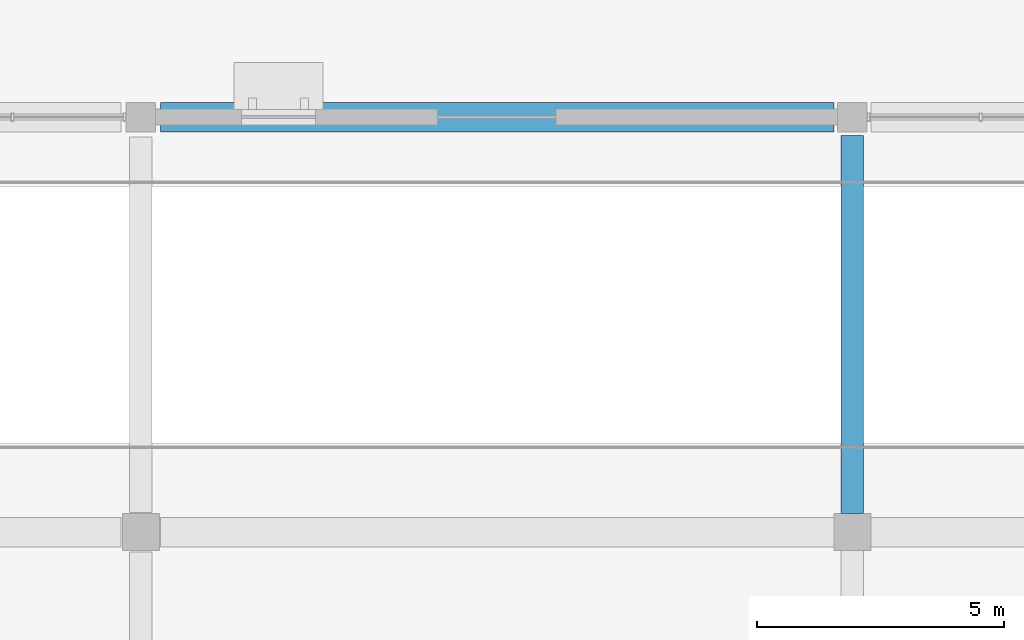
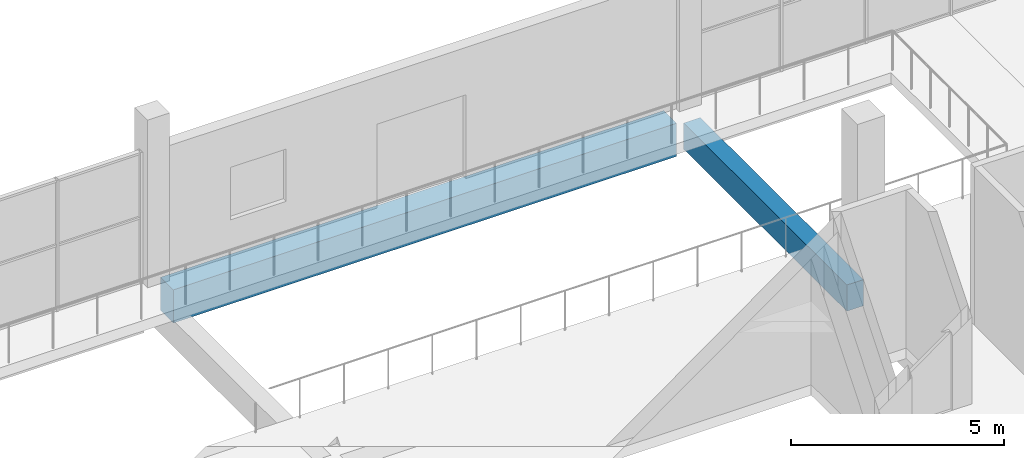
# One storey, part 57 of 130: 2 beams.
"""IFC4 building model written with IfcOpenShell, lengths in metres."""

from ifc_helpers import new_model, si_unit, direction, frame, origin, origin_2d, place, context, subcontext, project, spatial, rectangle, extrude, material, material_profile, profile_set, type_object, element, save


model = new_model("IFC4")

# Units and contexts
model_context = context("Model", 3, precision=1e-05, world=origin(), true_north=direction((0.0, 1.0)))
body_context = subcontext(model_context, "Body", "Model", "MODEL_VIEW")
ifc_project = project(units=[si_unit("LENGTHUNIT", "METRE"), si_unit("AREAUNIT", "SQUARE_METRE"), si_unit("VOLUMEUNIT", "CUBIC_METRE"), si_unit("PLANEANGLEUNIT", "RADIAN"), si_unit("MASSUNIT", "GRAM", prefix="KILO"), si_unit("THERMODYNAMICTEMPERATUREUNIT", "KELVIN")], contexts=[model_context])

# Site, building, storey
site_placement = place(None, origin())
site = spatial("IfcSite", under=ifc_project, at=site_placement, CompositionType="ELEMENT")
building_placement = place(site_placement, origin())
building = spatial("IfcBuilding", under=site, at=building_placement, Name="Nduvali Passage Aquatics Centre", CompositionType="ELEMENT")
storey_placement = place(building_placement, origin())
storey = spatial("IfcBuildingStorey", under=building, at=storey_placement, Name="L00", CompositionType="ELEMENT", Elevation=0.0)

# Beams
ifc_material = material(Name="Concrete C40/50", Category="concrete")
ifc_material_profile_1 = material_profile(ifc_material, rectangle(XDim=0.449951171875, YDim=0.75, at=origin_2d()), Name="RC 450x750")
ifc_profile_set_1 = profile_set([ifc_material_profile_1], Name="Concrete C40/50")
beam_type_1 = type_object("IfcBeamType", Name="STR-BM-RC4575", PredefinedType="BEAM", material=ifc_profile_set_1)
beam_1_placement = place(storey_placement, frame((82.800048828125, 109.574951171875, -0.675048828125), z_axis=(0.0, 1.0, 0.0), x_axis=(-1.0, 0.0, 0.0)))
element("IfcBeam", 1, at=beam_1_placement, inside=storey, type_object=beam_type_1, Name="L00 Primary Y-Girder B3-0168", PredefinedType="BEAM", context=body_context, shape_type="SweptSolid", body=[
    extrude(rectangle(XDim=0.449951171875, YDim=0.75, at=origin_2d()), origin(), (0.0, 0.0, 1.0), 7.650146484375),
])
ifc_material_profile_2 = material_profile(ifc_material, rectangle(XDim=0.60009765625, YDim=0.949951171875, at=origin_2d()), Name="RC 600x950")
ifc_profile_set_2 = profile_set([ifc_material_profile_2], Name="Concrete C40/50")
beam_type_2 = type_object("IfcBeamType", Name="STR-BM-RC6095-EXT", PredefinedType="BEAM", material=ifc_profile_set_2)
beam_2_placement = place(storey_placement, frame((68.800048828125, 117.60009765625, -0.77490234375), z_axis=(1.0, 0.0, 0.0), x_axis=(0.0, 1.0, 0.0)))
element("IfcBeam", 2, at=beam_2_placement, inside=storey, type_object=beam_type_2, Name="L00 Primary X-Girder B1E-0109", PredefinedType="BEAM", context=body_context, shape_type="SweptSolid", body=[
    extrude(rectangle(XDim=0.60009765625, YDim=0.949951171875, at=origin_2d()), origin(), (0.0, 0.0, 1.0), 13.625),
])

save(model, "model.ifc")
